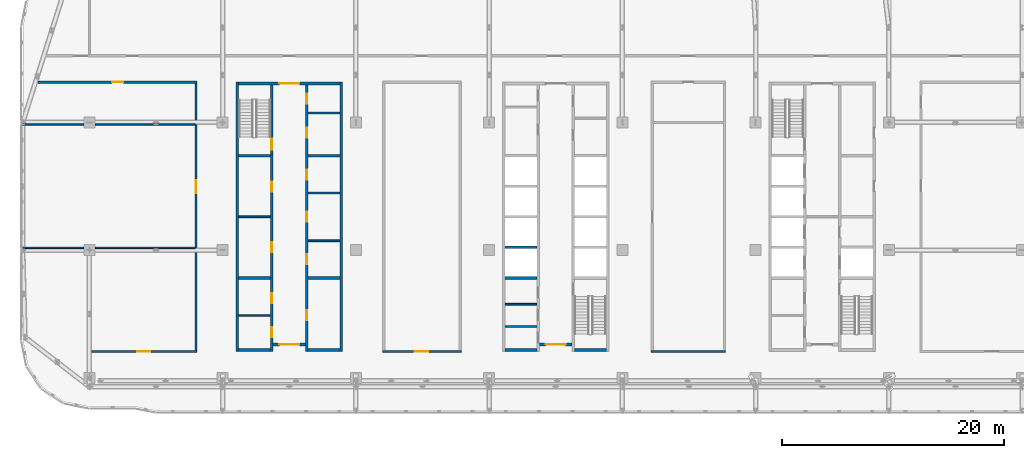
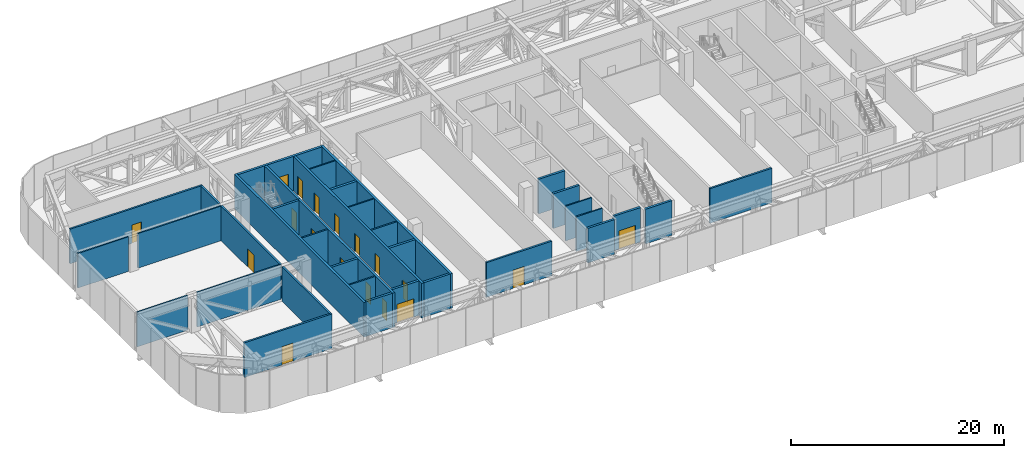
# One storey, part 13 of 29: 36 walls, 18 doors, 18 openings.
"""IFC4 building model written with IfcOpenShell, lengths in metres."""

from ifc_helpers import new_model, si_unit, direction, frame, frame_2d, origin, place, context, subcontext, project, spatial, rectangle, extrude, material, layer, layer_set, type_object, element, fill, save


model = new_model("IFC4")

# Units and contexts
model_context = context("Model", 3, precision=1e-05, world=origin(), true_north=direction((0.0, 1.0)))
body_context = subcontext(model_context, "Body", "Model", "MODEL_VIEW")
ifc_project = project(units=[si_unit("LENGTHUNIT", "METRE"), si_unit("AREAUNIT", "SQUARE_METRE"), si_unit("VOLUMEUNIT", "CUBIC_METRE"), si_unit("PLANEANGLEUNIT", "RADIAN"), si_unit("MASSUNIT", "GRAM", prefix="KILO")], contexts=[model_context])

# Site, building, storey
site_placement = place(None, origin())
site = spatial("IfcSite", under=ifc_project, at=site_placement, CompositionType="ELEMENT")
building_placement = place(site_placement, origin())
building = spatial("IfcBuilding", under=site, at=building_placement, Name="Mahtab Terrace Research Tower", CompositionType="ELEMENT")
storey_placement = place(building_placement, frame((0.0, 0.0, 259.0)))
storey = spatial("IfcBuildingStorey", under=building, at=storey_placement, Name="L63", CompositionType="ELEMENT", Elevation=259.0)

# Walls
ifc_material_1 = material(Name="Gypsum board partition")
ifc_layer_1 = layer(ifc_material_1, 0.14990234375)
ifc_layer_set_1 = layer_set([ifc_layer_1], Name="Core partition 150")
wall_type_1 = type_object("IfcWallType", Name="Core partition 150", PredefinedType="PARTITIONING", material=ifc_layer_set_1)
for number, where, z_axis, x_axis, name in (
    (1, (-28.550048828125, 3.0, 0.0), (0.0, 0.0, 1.0), (1.0, 0.0, 0.0), "Core wall A pWL0"),
    (2, (-22.300048828125, 0.85009765625, 0.0), (0.0, 0.0, 1.0), (1.0, 0.0, 0.0), "Core wall A pEL-215"),
    (3, (-22.300048828125, 5.14990234375, 0.0), (0.0, 0.0, 1.0), (1.0, 0.0, 0.0), "Core wall A pEL215"),
    (4, (-28.550048828125, -5.875, 0.0), (0.0, 0.0, 1.0), (1.0, 0.0, 0.0), "Core wall A pWS-888"),
    (5, (-22.300048828125, 12.35498046875, 0.0), (0.0, 0.0, 1.0), (1.0, 0.0, 0.0), "Core wall A pEN936"),
    (6, (-4.550048828125, -6.875, 0.0), (0.0, 0.0, 1.0), (1.0, 0.0, 0.0), "Core wall B pWS-988"),
    (7, (-4.550048828125, -4.875, 0.0), (0.0, 0.0, 1.0), (1.0, 0.0, 0.0), "Core wall B pWS-788"),
):
    element("IfcWall", number, at=place(storey_placement, frame(where, z_axis=z_axis, x_axis=x_axis)), inside=storey, type_object=wall_type_1, Name=name, PredefinedType="PARTITIONING", context=body_context, shape_type="SweptSolid", body=[
        extrude(rectangle(XDim=2.85009765625, YDim=0.14990234375, at=frame_2d((1.425048828125, 0.0))), origin(), (0.0, 0.0, 1.0), 3.9599609375),
    ])
ifc_material_2 = material(Name="Concrete C70/85", Category="concrete")
ifc_layer_2 = layer(ifc_material_2, 0.25)
ifc_layer_set_2 = layer_set([ifc_layer_2], Name="Core wall 250")
wall_type_2 = type_object("IfcWallType", Name="Core wall 250", PredefinedType="SOLIDWALL", material=ifc_layer_set_2)
for number, where, z_axis, x_axis, name in (
    (8, (-28.675048828125, 15.125, 0.0), (0.0, 0.0, 1.0), (0.0, -1.0, 0.0), "Core wall A outerW"),
    (9, (-19.324951171875, -9.125, 0.0), (0.0, 0.0, 1.0), (0.0, 1.0, 0.0), "Core wall A outerE"),
):
    element("IfcWall", number, at=place(storey_placement, frame(where, z_axis=z_axis, x_axis=x_axis)), inside=storey, type_object=wall_type_2, Name=name, PredefinedType="SOLIDWALL", context=body_context, shape_type="SweptSolid", body=[
        extrude(rectangle(XDim=24.25, YDim=0.25, at=frame_2d((12.125, 0.0))), origin(), (0.0, 0.0, 1.0), 3.9599609375),
    ])
for number, where, z_axis, x_axis, name in (
    (10, (-25.699951171875, -9.0, 0.0), (0.0, 0.0, 1.0), (-1.0, 0.0, 0.0), "Core wall A endSW"),
    (11, (-19.449951171875, -9.0, 0.0), (0.0, 0.0, 1.0), (-1.0, 0.0, 0.0), "Core wall A endSE"),
):
    element("IfcWall", number, at=place(storey_placement, frame(where, z_axis=z_axis, x_axis=x_axis)), inside=storey, type_object=wall_type_2, Name=name, PredefinedType="SOLIDWALL", context=body_context, shape_type="SweptSolid", body=[
        extrude(rectangle(XDim=2.85009765625, YDim=0.25, at=frame_2d((1.425048828125, 0.0))), origin(), (0.0, 0.0, 1.0), 3.9599609375),
    ])

# Wall, opening, door
wall_1_placement = place(storey_placement, frame((-22.550048828125, -8.5, 0.0), z_axis=(0.0, 0.0, 1.0), x_axis=(-1.0, 0.0, 0.0)))
wall_1 = element("IfcWall", 12, at=wall_1_placement, inside=storey, type_object=wall_type_2, Name="Core wall A endSL", PredefinedType="SOLIDWALL", context=body_context, shape_type="SweptSolid", body=[
    extrude(rectangle(XDim=2.89990234375, YDim=0.25, at=frame_2d((1.449951171875, 0.0))), origin(), (0.0, 0.0, 1.0), 3.9599609375),
])
opening_1_placement = place(wall_1_placement, frame((0.550048828125, 0.0, 0.0)))
opening_1 = element("IfcOpeningElement", 13, at=opening_1_placement, cuts=wall_1, Name="Opening A-S1", PredefinedType="OPENING", context=body_context, shape_type="SweptSolid", body=[
    extrude(rectangle(XDim=1.800048828125, YDim=2.10009765625, at=frame_2d((0.89990234375, 1.050048828125))), frame((0.0, 0.135009765625, 0.0), z_axis=(0.0, -1.0, 0.0), x_axis=(1.0, 0.0, 0.0)), (0.0, 0.0, 1.0), 0.27001953125),
])
ifc_material_3 = material(Name="Steel fire door", Category="steel")
door_type_1 = type_object("IfcDoorType", Name="Lobby double door 1800x2100 1 HR", OperationType="DOUBLE_DOOR_SINGLE_SWING", PredefinedType="DOOR", material=ifc_material_3)
door_1_placement = place(opening_1_placement, origin())
door_1 = element("IfcDoor", 14, at=door_1_placement, inside=storey, type_object=door_type_1, Name="Core entrance door A S", OperationType="DOUBLE_DOOR_SINGLE_SWING", OverallHeight=2.10009765625, OverallWidth=1.800048828125, PredefinedType="DOOR", context=body_context, shape_type="SweptSolid", body=[
    extrude(rectangle(XDim=1.800048828125, YDim=2.10009765625, at=frame_2d((0.89990234375, 1.050048828125))), frame((0.0, 0.02490234375, 0.0), z_axis=(0.0, -1.0, 0.0), x_axis=(1.0, 0.0, 0.0)), (0.0, 0.0, 1.0), 0.050048828125),
])
fill(opening_1, door_1)

wall_2_placement = place(storey_placement, frame((-28.550048828125, 15.0, 0.0), z_axis=(0.0, 0.0, 1.0), x_axis=(1.0, 0.0, 0.0)))
wall_2 = element("IfcWall", 15, at=wall_2_placement, inside=storey, type_object=wall_type_2, Name="Core wall A endN", PredefinedType="SOLIDWALL", context=body_context, shape_type="SweptSolid", body=[
    extrude(rectangle(XDim=9.10009765625, YDim=0.25, at=frame_2d((4.550048828125, 0.0))), origin(), (0.0, 0.0, 1.0), 3.9599609375),
])
opening_2_placement = place(wall_2_placement, frame((3.64990234375, 0.0, 0.0)))
opening_2 = element("IfcOpeningElement", 16, at=opening_2_placement, cuts=wall_2, Name="Opening A-N1", PredefinedType="OPENING", context=body_context, shape_type="SweptSolid", body=[
    extrude(rectangle(XDim=1.800048828125, YDim=2.10009765625, at=frame_2d((0.89990234375, 1.050048828125))), frame((0.0, 0.135009765625, 0.0), z_axis=(0.0, -1.0, 0.0), x_axis=(1.0, 0.0, 0.0)), (0.0, 0.0, 1.0), 0.27001953125),
])
door_2_placement = place(opening_2_placement, origin())
door_2 = element("IfcDoor", 17, at=door_2_placement, inside=storey, type_object=door_type_1, Name="Core entrance door A N", OperationType="DOUBLE_DOOR_SINGLE_SWING", OverallHeight=2.10009765625, OverallWidth=1.800048828125, PredefinedType="DOOR", context=body_context, shape_type="SweptSolid", body=[
    extrude(rectangle(XDim=1.800048828125, YDim=2.10009765625, at=frame_2d((0.89990234375, 1.050048828125))), frame((0.0, 0.02490234375, 0.0), z_axis=(0.0, -1.0, 0.0), x_axis=(1.0, 0.0, 0.0)), (0.0, 0.0, 1.0), 0.050048828125),
])
fill(opening_2, door_2)

# Wall, openings, doors
wall_3_placement = place(storey_placement, frame((-25.574951171875, -9.125, 0.0), z_axis=(0.0, 0.0, 1.0), x_axis=(0.0, 1.0, 0.0)))
wall_3 = element("IfcWall", 18, at=wall_3_placement, inside=storey, type_object=wall_type_2, Name="Core wall A innerWSL", PredefinedType="SOLIDWALL", context=body_context, shape_type="SweptSolid", body=[
    extrude(rectangle(XDim=17.75, YDim=0.25, at=frame_2d((8.875, 0.0))), origin(), (0.0, 0.0, 1.0), 3.9599609375),
])
opening_3_placement = place(wall_3_placement, frame((8.949951171875, 0.0, 0.0)))
opening_3 = element("IfcOpeningElement", 19, at=opening_3_placement, cuts=wall_3, Name="Opening A-R1", PredefinedType="OPENING", context=body_context, shape_type="SweptSolid", body=[
    extrude(rectangle(XDim=0.89990234375, YDim=2.10009765625, at=frame_2d((0.449951171875, 1.050048828125))), frame((0.0, 0.135009765625, 0.0), z_axis=(0.0, -1.0, 0.0), x_axis=(1.0, 0.0, 0.0)), (0.0, 0.0, 1.0), 0.27001953125),
])
opening_4_placement = place(wall_3_placement, frame((14.39990234375, 0.0, 0.0)))
opening_4 = element("IfcOpeningElement", 20, at=opening_4_placement, cuts=wall_3, Name="Opening A-R2", PredefinedType="OPENING", context=body_context, shape_type="SweptSolid", body=[
    extrude(rectangle(XDim=0.89990234375, YDim=2.10009765625, at=frame_2d((0.449951171875, 1.050048828125))), frame((0.0, 0.135009765625, 0.0), z_axis=(0.0, -1.0, 0.0), x_axis=(1.0, 0.0, 0.0)), (0.0, 0.0, 1.0), 0.27001953125),
])
opening_5_placement = place(wall_3_placement, frame((1.262451171875, 0.0, 0.0)))
opening_5 = element("IfcOpeningElement", 21, at=opening_5_placement, cuts=wall_3, Name="Opening A-R6", PredefinedType="OPENING", context=body_context, shape_type="SweptSolid", body=[
    extrude(rectangle(XDim=0.89990234375, YDim=2.10009765625, at=frame_2d((0.449951171875, 1.050048828125))), frame((0.0, 0.135009765625, 0.0), z_axis=(0.0, -1.0, 0.0), x_axis=(1.0, 0.0, 0.0)), (0.0, 0.0, 1.0), 0.27001953125),
])
opening_6_placement = place(wall_3_placement, frame((4.33740234375, 0.0, 0.0)))
opening_6 = element("IfcOpeningElement", 22, at=opening_6_placement, cuts=wall_3, Name="Opening A-R7", PredefinedType="OPENING", context=body_context, shape_type="SweptSolid", body=[
    extrude(rectangle(XDim=0.89990234375, YDim=2.10009765625, at=frame_2d((0.449951171875, 1.050048828125))), frame((0.0, 0.135009765625, 0.0), z_axis=(0.0, -1.0, 0.0), x_axis=(1.0, 0.0, 0.0)), (0.0, 0.0, 1.0), 0.27001953125),
])
door_type_2 = type_object("IfcDoorType", Name="Room door 900x2100 1 HR", OperationType="NOTDEFINED", PredefinedType="DOOR", material=ifc_material_3)
door_3_placement = place(opening_3_placement, origin())
door_3 = element("IfcDoor", 23, at=door_3_placement, inside=storey, type_object=door_type_2, Name="Document store door", OperationType="SINGLE_SWING_LEFT", OverallHeight=2.10009765625, OverallWidth=0.89990234375, PredefinedType="DOOR", context=body_context, shape_type="SweptSolid", body=[
    extrude(rectangle(XDim=0.89990234375, YDim=2.10009765625, at=frame_2d((0.449951171875, 1.050048828125))), frame((0.0, 0.02490234375, 0.0), z_axis=(0.0, -1.0, 0.0), x_axis=(1.0, 0.0, 0.0)), (0.0, 0.0, 1.0), 0.050048828125),
])
fill(opening_3, door_3)
door_4_placement = place(opening_4_placement, origin())
door_4 = element("IfcDoor", 24, at=door_4_placement, inside=storey, type_object=door_type_2, Name="IT equipment room door", OperationType="SINGLE_SWING_RIGHT", OverallHeight=2.10009765625, OverallWidth=0.89990234375, PredefinedType="DOOR", context=body_context, shape_type="SweptSolid", body=[
    extrude(rectangle(XDim=0.89990234375, YDim=2.10009765625, at=frame_2d((0.449951171875, 1.050048828125))), frame((0.0, 0.02490234375, 0.0), z_axis=(0.0, -1.0, 0.0), x_axis=(1.0, 0.0, 0.0)), (0.0, 0.0, 1.0), 0.050048828125),
])
fill(opening_4, door_4)
door_5_placement = place(opening_5_placement, origin())
door_5 = element("IfcDoor", 25, at=door_5_placement, inside=storey, type_object=door_type_2, Name="Staff WC door", OperationType="SINGLE_SWING_RIGHT", OverallHeight=2.10009765625, OverallWidth=0.89990234375, PredefinedType="DOOR", context=body_context, shape_type="SweptSolid", body=[
    extrude(rectangle(XDim=0.89990234375, YDim=2.10009765625, at=frame_2d((0.449951171875, 1.050048828125))), frame((0.0, 0.02490234375, 0.0), z_axis=(0.0, -1.0, 0.0), x_axis=(1.0, 0.0, 0.0)), (0.0, 0.0, 1.0), 0.050048828125),
])
fill(opening_5, door_5)
door_6_placement = place(opening_6_placement, origin())
door_6 = element("IfcDoor", 26, at=door_6_placement, inside=storey, type_object=door_type_2, Name="Accessible WC door", OperationType="SINGLE_SWING_LEFT", OverallHeight=2.10009765625, OverallWidth=0.89990234375, PredefinedType="DOOR", context=body_context, shape_type="SweptSolid", body=[
    extrude(rectangle(XDim=0.89990234375, YDim=2.10009765625, at=frame_2d((0.449951171875, 1.050048828125))), frame((0.0, 0.02490234375, 0.0), z_axis=(0.0, -1.0, 0.0), x_axis=(1.0, 0.0, 0.0)), (0.0, 0.0, 1.0), 0.050048828125),
])
fill(opening_6, door_6)

# Wall, opening, door
wall_4_placement = place(storey_placement, frame((-25.574951171875, 14.875, 0.0), z_axis=(0.0, 0.0, 1.0), x_axis=(0.0, -1.0, 0.0)))
wall_4 = element("IfcWall", 27, at=wall_4_placement, inside=storey, type_object=wall_type_2, Name="Core wall A innerWN", PredefinedType="SOLIDWALL", context=body_context, shape_type="SweptSolid", body=[
    extrude(rectangle(XDim=6.25, YDim=0.25, at=frame_2d((3.125, 0.0))), origin(), (0.0, 0.0, 1.0), 3.9599609375),
])
opening_7_placement = place(wall_4_placement, frame((4.85009765625, 0.0, 0.0)))
opening_7 = element("IfcOpeningElement", 28, at=opening_7_placement, cuts=wall_4, Name="Opening A-ST1", PredefinedType="OPENING", context=body_context, shape_type="SweptSolid", body=[
    extrude(rectangle(XDim=1.0, YDim=2.10009765625, at=frame_2d((0.5, 1.050048828125))), frame((0.0, 0.135009765625, 0.0), z_axis=(0.0, -1.0, 0.0), x_axis=(1.0, 0.0, 0.0)), (0.0, 0.0, 1.0), 0.27001953125),
])
door_type_3 = type_object("IfcDoorType", Name="Stair door 1000x2100 1.5 HR", OperationType="NOTDEFINED", PredefinedType="DOOR", material=ifc_material_3)
door_7_placement = place(opening_7_placement, origin())
door_7 = element("IfcDoor", 29, at=door_7_placement, inside=storey, type_object=door_type_3, Name="Stair door ST1 L63", OperationType="SINGLE_SWING_LEFT", OverallHeight=2.10009765625, OverallWidth=1.0, PredefinedType="DOOR", context=body_context, shape_type="SweptSolid", body=[
    extrude(rectangle(XDim=1.0, YDim=2.10009765625, at=frame_2d((0.5, 1.050048828125))), frame((0.0, 0.02490234375, 0.0), z_axis=(0.0, -1.0, 0.0), x_axis=(1.0, 0.0, 0.0)), (0.0, 0.0, 1.0), 0.050048828125),
])
fill(opening_7, door_7)

# Wall, openings, doors
wall_5_placement = place(storey_placement, frame((-22.425048828125, 14.875, 0.0), z_axis=(0.0, 0.0, 1.0), x_axis=(0.0, -1.0, 0.0)))
wall_5 = element("IfcWall", 30, at=wall_5_placement, inside=storey, type_object=wall_type_2, Name="Core wall A innerESLN", PredefinedType="SOLIDWALL", context=body_context, shape_type="SweptSolid", body=[
    extrude(rectangle(XDim=24.0, YDim=0.25, at=frame_2d((12.0, 0.0))), origin(), (0.0, 0.0, 1.0), 3.9599609375),
])
opening_8_placement = place(wall_5_placement, frame((15.22509765625, 0.0, 0.0)))
opening_8 = element("IfcOpeningElement", 31, at=opening_8_placement, cuts=wall_5, Name="Opening A-R3", PredefinedType="OPENING", context=body_context, shape_type="SweptSolid", body=[
    extrude(rectangle(XDim=0.89990234375, YDim=2.10009765625, at=frame_2d((0.449951171875, 1.050048828125))), frame((0.0, 0.135009765625, 0.0), z_axis=(0.0, -1.0, 0.0), x_axis=(1.0, 0.0, 0.0)), (0.0, 0.0, 1.0), 0.27001953125),
])
opening_9_placement = place(wall_5_placement, frame((11.425048828125, 0.0, 0.0)))
opening_9 = element("IfcOpeningElement", 32, at=opening_9_placement, cuts=wall_5, Name="Opening A-R4", PredefinedType="OPENING", context=body_context, shape_type="SweptSolid", body=[
    extrude(rectangle(XDim=0.89990234375, YDim=2.10009765625, at=frame_2d((0.449951171875, 1.050048828125))), frame((0.0, 0.135009765625, 0.0), z_axis=(0.0, -1.0, 0.0), x_axis=(1.0, 0.0, 0.0)), (0.0, 0.0, 1.0), 0.27001953125),
])
opening_10_placement = place(wall_5_placement, frame((7.625, 0.0, 0.0)))
opening_10 = element("IfcOpeningElement", 33, at=opening_10_placement, cuts=wall_5, Name="Opening A-R5", PredefinedType="OPENING", context=body_context, shape_type="SweptSolid", body=[
    extrude(rectangle(XDim=0.89990234375, YDim=2.10009765625, at=frame_2d((0.449951171875, 1.050048828125))), frame((0.0, 0.135009765625, 0.0), z_axis=(0.0, -1.0, 0.0), x_axis=(1.0, 0.0, 0.0)), (0.0, 0.0, 1.0), 0.27001953125),
])
opening_11_placement = place(wall_5_placement, frame((20.300048828125, 0.0, 0.0)))
opening_11 = element("IfcOpeningElement", 34, at=opening_11_placement, cuts=wall_5, Name="Opening A-R8", PredefinedType="OPENING", context=body_context, shape_type="SweptSolid", body=[
    extrude(rectangle(XDim=0.89990234375, YDim=2.10009765625, at=frame_2d((0.449951171875, 1.050048828125))), frame((0.0, 0.135009765625, 0.0), z_axis=(0.0, -1.0, 0.0), x_axis=(1.0, 0.0, 0.0)), (0.0, 0.0, 1.0), 0.27001953125),
])
opening_12_placement = place(wall_5_placement, frame((3.847412109375, 0.0, 0.0)))
opening_12 = element("IfcOpeningElement", 35, at=opening_12_placement, cuts=wall_5, Name="Opening A-R9", PredefinedType="OPENING", context=body_context, shape_type="SweptSolid", body=[
    extrude(rectangle(XDim=0.89990234375, YDim=2.10009765625, at=frame_2d((0.449951171875, 1.050048828125))), frame((0.0, 0.135009765625, 0.0), z_axis=(0.0, -1.0, 0.0), x_axis=(1.0, 0.0, 0.0)), (0.0, 0.0, 1.0), 0.27001953125),
])
opening_13_placement = place(wall_5_placement, frame((0.7724609375, 0.0, 0.0)))
opening_13 = element("IfcOpeningElement", 36, at=opening_13_placement, cuts=wall_5, Name="Opening A-R10", PredefinedType="OPENING", context=body_context, shape_type="SweptSolid", body=[
    extrude(rectangle(XDim=0.89990234375, YDim=2.10009765625, at=frame_2d((0.449951171875, 1.050048828125))), frame((0.0, 0.135009765625, 0.0), z_axis=(0.0, -1.0, 0.0), x_axis=(1.0, 0.0, 0.0)), (0.0, 0.0, 1.0), 0.27001953125),
])
door_8_placement = place(opening_8_placement, origin())
door_8 = element("IfcDoor", 37, at=door_8_placement, inside=storey, type_object=door_type_2, Name="Electrical room door", OperationType="SINGLE_SWING_LEFT", OverallHeight=2.10009765625, OverallWidth=0.89990234375, PredefinedType="DOOR", context=body_context, shape_type="SweptSolid", body=[
    extrude(rectangle(XDim=0.89990234375, YDim=2.10009765625, at=frame_2d((0.449951171875, 1.050048828125))), frame((0.0, 0.02490234375, 0.0), z_axis=(0.0, -1.0, 0.0), x_axis=(1.0, 0.0, 0.0)), (0.0, 0.0, 1.0), 0.050048828125),
])
fill(opening_8, door_8)
door_9_placement = place(opening_9_placement, origin())
door_9 = element("IfcDoor", 38, at=door_9_placement, inside=storey, type_object=door_type_2, Name="Pantry door", OperationType="SINGLE_SWING_RIGHT", OverallHeight=2.10009765625, OverallWidth=0.89990234375, PredefinedType="DOOR", context=body_context, shape_type="SweptSolid", body=[
    extrude(rectangle(XDim=0.89990234375, YDim=2.10009765625, at=frame_2d((0.449951171875, 1.050048828125))), frame((0.0, 0.02490234375, 0.0), z_axis=(0.0, -1.0, 0.0), x_axis=(1.0, 0.0, 0.0)), (0.0, 0.0, 1.0), 0.050048828125),
])
fill(opening_9, door_9)
door_10_placement = place(opening_10_placement, origin())
door_10 = element("IfcDoor", 39, at=door_10_placement, inside=storey, type_object=door_type_2, Name="Housekeeping store door", OperationType="SINGLE_SWING_LEFT", OverallHeight=2.10009765625, OverallWidth=0.89990234375, PredefinedType="DOOR", context=body_context, shape_type="SweptSolid", body=[
    extrude(rectangle(XDim=0.89990234375, YDim=2.10009765625, at=frame_2d((0.449951171875, 1.050048828125))), frame((0.0, 0.02490234375, 0.0), z_axis=(0.0, -1.0, 0.0), x_axis=(1.0, 0.0, 0.0)), (0.0, 0.0, 1.0), 0.050048828125),
])
fill(opening_10, door_10)
door_11_placement = place(opening_11_placement, origin())
door_11 = element("IfcDoor", 40, at=door_11_placement, inside=storey, type_object=door_type_2, Name="Gas cylinder store door", OperationType="SINGLE_SWING_RIGHT", OverallHeight=2.10009765625, OverallWidth=0.89990234375, PredefinedType="DOOR", context=body_context, shape_type="SweptSolid", body=[
    extrude(rectangle(XDim=0.89990234375, YDim=2.10009765625, at=frame_2d((0.449951171875, 1.050048828125))), frame((0.0, 0.02490234375, 0.0), z_axis=(0.0, -1.0, 0.0), x_axis=(1.0, 0.0, 0.0)), (0.0, 0.0, 1.0), 0.050048828125),
])
fill(opening_11, door_11)
door_12_placement = place(opening_12_placement, origin())
door_12 = element("IfcDoor", 41, at=door_12_placement, inside=storey, type_object=door_type_2, Name="Pantry door", OperationType="SINGLE_SWING_LEFT", OverallHeight=2.10009765625, OverallWidth=0.89990234375, PredefinedType="DOOR", context=body_context, shape_type="SweptSolid", body=[
    extrude(rectangle(XDim=0.89990234375, YDim=2.10009765625, at=frame_2d((0.449951171875, 1.050048828125))), frame((0.0, 0.02490234375, 0.0), z_axis=(0.0, -1.0, 0.0), x_axis=(1.0, 0.0, 0.0)), (0.0, 0.0, 1.0), 0.050048828125),
])
fill(opening_12, door_12)
door_13_placement = place(opening_13_placement, origin())
door_13 = element("IfcDoor", 42, at=door_13_placement, inside=storey, type_object=door_type_2, Name="Linen store door", OperationType="SINGLE_SWING_RIGHT", OverallHeight=2.10009765625, OverallWidth=0.89990234375, PredefinedType="DOOR", context=body_context, shape_type="SweptSolid", body=[
    extrude(rectangle(XDim=0.89990234375, YDim=2.10009765625, at=frame_2d((0.449951171875, 1.050048828125))), frame((0.0, 0.02490234375, 0.0), z_axis=(0.0, -1.0, 0.0), x_axis=(1.0, 0.0, 0.0)), (0.0, 0.0, 1.0), 0.050048828125),
])
fill(opening_13, door_13)

# Walls
for number, where, z_axis, x_axis, name in (
    (43, (-28.550048828125, -2.5, 0.0), (0.0, 0.0, 1.0), (1.0, 0.0, 0.0), "Core wall A divW0"),
    (44, (-28.550048828125, 8.5, 0.0), (0.0, 0.0, 1.0), (1.0, 0.0, 0.0), "Core wall A divW4"),
    (45, (-22.300048828125, -2.5, 0.0), (0.0, 0.0, 1.0), (1.0, 0.0, 0.0), "Core wall A divE0"),
    (46, (-22.300048828125, 8.5, 0.0), (0.0, 0.0, 1.0), (1.0, 0.0, 0.0), "Core wall A divE4"),
    (47, (-1.699951171875, -9.0, 0.0), (0.0, 0.0, 1.0), (-1.0, 0.0, 0.0), "Core wall B endSW"),
    (48, (4.550048828125, -9.0, 0.0), (0.0, 0.0, 1.0), (-1.0, 0.0, 0.0), "Core wall B endSE"),
):
    element("IfcWall", number, at=place(storey_placement, frame(where, z_axis=z_axis, x_axis=x_axis)), inside=storey, type_object=wall_type_2, Name=name, PredefinedType="SOLIDWALL", context=body_context, shape_type="SweptSolid", body=[
        extrude(rectangle(XDim=2.85009765625, YDim=0.25, at=frame_2d((1.425048828125, 0.0))), origin(), (0.0, 0.0, 1.0), 3.9599609375),
    ])

# Wall, opening, door
wall_6_placement = place(storey_placement, frame((1.449951171875, -8.5, 0.0), z_axis=(0.0, 0.0, 1.0), x_axis=(-1.0, 0.0, 0.0)))
wall_6 = element("IfcWall", 49, at=wall_6_placement, inside=storey, type_object=wall_type_2, Name="Core wall B endSL", PredefinedType="SOLIDWALL", context=body_context, shape_type="SweptSolid", body=[
    extrude(rectangle(XDim=2.89990234375, YDim=0.25, at=frame_2d((1.449951171875, 0.0))), origin(), (0.0, 0.0, 1.0), 3.9599609375),
])
opening_14_placement = place(wall_6_placement, frame((0.550048828125, 0.0, 0.0)))
opening_14 = element("IfcOpeningElement", 50, at=opening_14_placement, cuts=wall_6, Name="Opening B-S1", PredefinedType="OPENING", context=body_context, shape_type="SweptSolid", body=[
    extrude(rectangle(XDim=1.800048828125, YDim=2.10009765625, at=frame_2d((0.89990234375, 1.050048828125))), frame((0.0, 0.135009765625, 0.0), z_axis=(0.0, -1.0, 0.0), x_axis=(1.0, 0.0, 0.0)), (0.0, 0.0, 1.0), 0.27001953125),
])
door_14_placement = place(opening_14_placement, origin())
door_14 = element("IfcDoor", 51, at=door_14_placement, inside=storey, type_object=door_type_1, Name="Core entrance door B S", OperationType="DOUBLE_DOOR_SINGLE_SWING", OverallHeight=2.10009765625, OverallWidth=1.800048828125, PredefinedType="DOOR", context=body_context, shape_type="SweptSolid", body=[
    extrude(rectangle(XDim=1.800048828125, YDim=2.10009765625, at=frame_2d((0.89990234375, 1.050048828125))), frame((0.0, 0.02490234375, 0.0), z_axis=(0.0, -1.0, 0.0), x_axis=(1.0, 0.0, 0.0)), (0.0, 0.0, 1.0), 0.050048828125),
])
fill(opening_14, door_14)

# Walls
for number, where, z_axis, x_axis, name in (
    (52, (-4.550048828125, -2.5, 0.0), (0.0, 0.0, 1.0), (1.0, 0.0, 0.0), "Core wall B divW0"),
    (53, (-4.550048828125, 0.25, 0.0), (0.0, 0.0, 1.0), (1.0, 0.0, 0.0), "Core wall B divW1"),
):
    element("IfcWall", number, at=place(storey_placement, frame(where, z_axis=z_axis, x_axis=x_axis)), inside=storey, type_object=wall_type_2, Name=name, PredefinedType="SOLIDWALL", context=body_context, shape_type="SweptSolid", body=[
        extrude(rectangle(XDim=2.85009765625, YDim=0.25, at=frame_2d((1.425048828125, 0.0))), origin(), (0.0, 0.0, 1.0), 3.9599609375),
    ])

# Wall, opening, door
ifc_material_4 = material(Name="Gypsum board corridor wall on steel studs", Category="steel")
ifc_layer_3 = layer(ifc_material_4, 0.199951171875)
ifc_layer_set_3 = layer_set([ifc_layer_3], Name="WALL CORRIDOR 200")
wall_type_3 = type_object("IfcWallType", Name="WALL CORRIDOR 200", PredefinedType="PARTITIONING", material=ifc_layer_set_3)
wall_7_placement = place(storey_placement, frame((-41.800048828125, -9.125, 0.0), z_axis=(0.0, 0.0, 1.0), x_axis=(1.0, 0.0, 0.0)))
wall_7 = element("IfcWall", 54, at=wall_7_placement, inside=storey, type_object=wall_type_3, Name="L63-W001", PredefinedType="PARTITIONING", context=body_context, shape_type="SweptSolid", body=[
    extrude(rectangle(XDim=9.5, YDim=0.199951171875, at=frame_2d((4.75, 0.0))), origin(), (0.0, 0.0, 1.0), 3.9599609375),
])
opening_15_placement = place(wall_7_placement, frame((4.10009765625, 0.0, 0.0)))
opening_15 = element("IfcOpeningElement", 55, at=opening_15_placement, cuts=wall_7, Name="Opening L63-101", PredefinedType="OPENING", context=body_context, shape_type="SweptSolid", body=[
    extrude(rectangle(XDim=1.199951171875, YDim=2.10009765625, at=frame_2d((0.60009765625, 1.050048828125))), frame((0.0, 0.10986328125, 0.0), z_axis=(0.0, -1.0, 0.0), x_axis=(1.0, 0.0, 0.0)), (0.0, 0.0, 1.0), 0.219970703125),
])
ifc_material_5 = material(Name="Timber door leaf in steel frame", Category="steel")
door_type_4 = type_object("IfcDoorType", Name="DOOR 1200X2100 FD30S", OperationType="SINGLE_SWING_LEFT", PredefinedType="DOOR", material=ifc_material_5)
door_15_placement = place(opening_15_placement, origin())
door_15 = element("IfcDoor", 56, at=door_15_placement, inside=storey, type_object=door_type_4, Name="Door L63-101", OperationType="SINGLE_SWING_LEFT", OverallHeight=2.10009765625, OverallWidth=1.199951171875, PredefinedType="DOOR", context=body_context, shape_type="SweptSolid", body=[
    extrude(rectangle(XDim=1.199951171875, YDim=2.10009765625, at=frame_2d((0.60009765625, 1.050048828125))), frame((0.0, 0.02490234375, 0.0), z_axis=(0.0, -1.0, 0.0), x_axis=(1.0, 0.0, 0.0)), (0.0, 0.0, 1.0), 0.050048828125),
])
fill(opening_15, door_15)

wall_8_placement = place(storey_placement, frame((-15.60009765625, -9.125, 0.0), z_axis=(0.0, 0.0, 1.0), x_axis=(1.0, 0.0, 0.0)))
wall_8 = element("IfcWall", 57, at=wall_8_placement, inside=storey, type_object=wall_type_3, Name="L63-W002", PredefinedType="PARTITIONING", context=body_context, shape_type="SweptSolid", body=[
    extrude(rectangle(XDim=7.10009765625, YDim=0.199951171875, at=frame_2d((3.550048828125, 0.0))), origin(), (0.0, 0.0, 1.0), 3.9599609375),
])
opening_16_placement = place(wall_8_placement, frame((2.89990234375, 0.0, 0.0)))
opening_16 = element("IfcOpeningElement", 58, at=opening_16_placement, cuts=wall_8, Name="Opening L63-105", PredefinedType="OPENING", context=body_context, shape_type="SweptSolid", body=[
    extrude(rectangle(XDim=1.199951171875, YDim=2.10009765625, at=frame_2d((0.60009765625, 1.050048828125))), frame((0.0, 0.10986328125, 0.0), z_axis=(0.0, -1.0, 0.0), x_axis=(1.0, 0.0, 0.0)), (0.0, 0.0, 1.0), 0.219970703125),
])
door_16_placement = place(opening_16_placement, origin())
door_16 = element("IfcDoor", 59, at=door_16_placement, inside=storey, type_object=door_type_4, Name="Door L63-105", OperationType="SINGLE_SWING_LEFT", OverallHeight=2.10009765625, OverallWidth=1.199951171875, PredefinedType="DOOR", context=body_context, shape_type="SweptSolid", body=[
    extrude(rectangle(XDim=1.199951171875, YDim=2.10009765625, at=frame_2d((0.60009765625, 1.050048828125))), frame((0.0, 0.02490234375, 0.0), z_axis=(0.0, -1.0, 0.0), x_axis=(1.0, 0.0, 0.0)), (0.0, 0.0, 1.0), 0.050048828125),
])
fill(opening_16, door_16)

# Wall
wall_9_placement = place(storey_placement, frame((8.60009765625, -9.125, 0.0), z_axis=(0.0, 0.0, 1.0), x_axis=(1.0, 0.0, 0.0)))
element("IfcWall", 60, at=wall_9_placement, inside=storey, type_object=wall_type_3, Name="L63-W003", PredefinedType="PARTITIONING", context=body_context, shape_type="SweptSolid", body=[
    extrude(rectangle(XDim=6.699951171875, YDim=0.199951171875, at=frame_2d((3.35009765625, 0.0))), origin(), (0.0, 0.0, 1.0), 3.9599609375),
])

# Wall, opening, door
wall_10_placement = place(storey_placement, frame((-46.645751953125, 15.125, 0.0), z_axis=(0.0, 0.0, 1.0), x_axis=(1.0, 0.0, 0.0)))
wall_10 = element("IfcWall", 61, at=wall_10_placement, inside=storey, type_object=wall_type_3, Name="L63-W011", PredefinedType="PARTITIONING", context=body_context, shape_type="SweptSolid", body=[
    extrude(rectangle(XDim=14.345703125, YDim=0.199951171875, at=frame_2d((7.1728515625, 0.0))), origin(), (0.0, 0.0, 1.0), 3.9599609375),
])
opening_17_placement = place(wall_10_placement, frame((6.699951171875, 0.0, 0.0)))
opening_17 = element("IfcOpeningElement", 62, at=opening_17_placement, cuts=wall_10, Name="Opening L63-108", PredefinedType="OPENING", context=body_context, shape_type="SweptSolid", body=[
    extrude(rectangle(XDim=1.0, YDim=2.10009765625, at=frame_2d((0.5, 1.050048828125))), frame((0.0, 0.10986328125, 0.0), z_axis=(0.0, -1.0, 0.0), x_axis=(1.0, 0.0, 0.0)), (0.0, 0.0, 1.0), 0.219970703125),
])
door_type_5 = type_object("IfcDoorType", Name="DOOR 1000X2100 FD30S", OperationType="SINGLE_SWING_LEFT", PredefinedType="DOOR", material=ifc_material_5)
door_17_placement = place(opening_17_placement, origin())
door_17 = element("IfcDoor", 63, at=door_17_placement, inside=storey, type_object=door_type_5, Name="Door L63-108", OperationType="SINGLE_SWING_LEFT", OverallHeight=2.10009765625, OverallWidth=1.0, PredefinedType="DOOR", context=body_context, shape_type="SweptSolid", body=[
    extrude(rectangle(XDim=1.0, YDim=2.10009765625, at=frame_2d((0.5, 1.050048828125))), frame((0.0, 0.02490234375, 0.0), z_axis=(0.0, -1.0, 0.0), x_axis=(1.0, 0.0, 0.0)), (0.0, 0.0, 1.0), 0.050048828125),
])
fill(opening_17, door_17)

# Wall
wall_11_placement = place(storey_placement, frame((-32.39990234375, -9.02490234375, 0.0), z_axis=(0.0, 0.0, 1.0), x_axis=(0.0, 1.0, 0.0)))
element("IfcWall", 64, at=wall_11_placement, inside=storey, type_object=wall_type_3, Name="L63-W026", PredefinedType="PARTITIONING", context=body_context, shape_type="SweptSolid", body=[
    extrude(rectangle(XDim=8.824951171875, YDim=0.199951171875, at=frame_2d((4.41259765625, 0.0))), origin(), (0.0, 0.0, 1.0), 3.9599609375),
])

# Wall, opening, door
wall_12_placement = place(storey_placement, frame((-32.39990234375, 0.199951171875, 0.0), z_axis=(0.0, 0.0, 1.0), x_axis=(0.0, 1.0, 0.0)))
wall_12 = element("IfcWall", 65, at=wall_12_placement, inside=storey, type_object=wall_type_3, Name="L63-W027", PredefinedType="PARTITIONING", context=body_context, shape_type="SweptSolid", body=[
    extrude(rectangle(XDim=11.10009765625, YDim=0.199951171875, at=frame_2d((5.550048828125, 0.0))), origin(), (0.0, 0.0, 1.0), 3.9599609375),
])
opening_18_placement = place(wall_12_placement, frame((4.89990234375, 0.0, 0.0)))
opening_18 = element("IfcOpeningElement", 66, at=opening_18_placement, cuts=wall_12, Name="Opening L63-104", PredefinedType="OPENING", context=body_context, shape_type="SweptSolid", body=[
    extrude(rectangle(XDim=1.199951171875, YDim=2.10009765625, at=frame_2d((0.60009765625, 1.050048828125))), frame((0.0, 0.10986328125, 0.0), z_axis=(0.0, -1.0, 0.0), x_axis=(1.0, 0.0, 0.0)), (0.0, 0.0, 1.0), 0.219970703125),
])
door_18_placement = place(opening_18_placement, origin())
door_18 = element("IfcDoor", 67, at=door_18_placement, inside=storey, type_object=door_type_4, Name="Door L63-104", OperationType="SINGLE_SWING_LEFT", OverallHeight=2.10009765625, OverallWidth=1.199951171875, PredefinedType="DOOR", context=body_context, shape_type="SweptSolid", body=[
    extrude(rectangle(XDim=1.199951171875, YDim=2.10009765625, at=frame_2d((0.60009765625, 1.050048828125))), frame((0.0, 0.02490234375, 0.0), z_axis=(0.0, -1.0, 0.0), x_axis=(1.0, 0.0, 0.0)), (0.0, 0.0, 1.0), 0.050048828125),
])
fill(opening_18, door_18)

# Walls
wall_13_placement = place(storey_placement, frame((-32.39990234375, 11.699951171875, 0.0), z_axis=(0.0, 0.0, 1.0), x_axis=(0.0, 1.0, 0.0)))
element("IfcWall", 68, at=wall_13_placement, inside=storey, type_object=wall_type_3, Name="L63-W028", PredefinedType="PARTITIONING", context=body_context, shape_type="SweptSolid", body=[
    extrude(rectangle(XDim=3.324951171875, YDim=0.199951171875, at=frame_2d((1.66259765625, 0.0))), origin(), (0.0, 0.0, 1.0), 3.9599609375),
])
ifc_material_6 = material(Name="Gypsum board partition on steel studs", Category="steel")
ifc_layer_4 = layer(ifc_material_6, 0.14990234375)
ifc_layer_set_4 = layer_set([ifc_layer_4], Name="WALL PARTITION 150")
wall_type_4 = type_object("IfcWallType", Name="WALL PARTITION 150", PredefinedType="PARTITIONING", material=ifc_layer_set_4)
wall_14_placement = place(storey_placement, frame((-48.0, 0.199951171875, 0.0), z_axis=(0.0, 0.0, 1.0), x_axis=(1.0, 0.0, 0.0)))
element("IfcWall", 69, at=wall_14_placement, inside=storey, type_object=wall_type_4, Name="L63-W006", PredefinedType="PARTITIONING", context=body_context, shape_type="SweptSolid", body=[
    extrude(rectangle(XDim=5.5, YDim=0.14990234375, at=frame_2d((2.75, 0.0))), origin(), (0.0, 0.0, 1.0), 3.9599609375),
])
wall_15_placement = place(storey_placement, frame((-41.5, 0.199951171875, 0.0), z_axis=(0.0, 0.0, 1.0), x_axis=(1.0, 0.0, 0.0)))
element("IfcWall", 70, at=wall_15_placement, inside=storey, type_object=wall_type_4, Name="L63-W007", PredefinedType="PARTITIONING", context=body_context, shape_type="SweptSolid", body=[
    extrude(rectangle(XDim=9.050048828125, YDim=0.14990234375, at=frame_2d((4.52490234375, 0.0))), origin(), (0.0, 0.0, 1.0), 3.9599609375),
])
wall_16_placement = place(storey_placement, frame((-48.0, 11.300048828125, 0.0), z_axis=(0.0, 0.0, 1.0), x_axis=(1.0, 0.0, 0.0)))
element("IfcWall", 71, at=wall_16_placement, inside=storey, type_object=wall_type_4, Name="L63-W008", PredefinedType="PARTITIONING", context=body_context, shape_type="SweptSolid", body=[
    extrude(rectangle(XDim=5.5, YDim=0.14990234375, at=frame_2d((2.75, 0.0))), origin(), (0.0, 0.0, 1.0), 3.9599609375),
])
wall_17_placement = place(storey_placement, frame((-41.5, 11.300048828125, 0.0), z_axis=(0.0, 0.0, 1.0), x_axis=(1.0, 0.0, 0.0)))
element("IfcWall", 72, at=wall_17_placement, inside=storey, type_object=wall_type_4, Name="L63-W009", PredefinedType="PARTITIONING", context=body_context, shape_type="SweptSolid", body=[
    extrude(rectangle(XDim=9.050048828125, YDim=0.14990234375, at=frame_2d((4.52490234375, 0.0))), origin(), (0.0, 0.0, 1.0), 3.9599609375),
])

save(model, "model.ifc")
